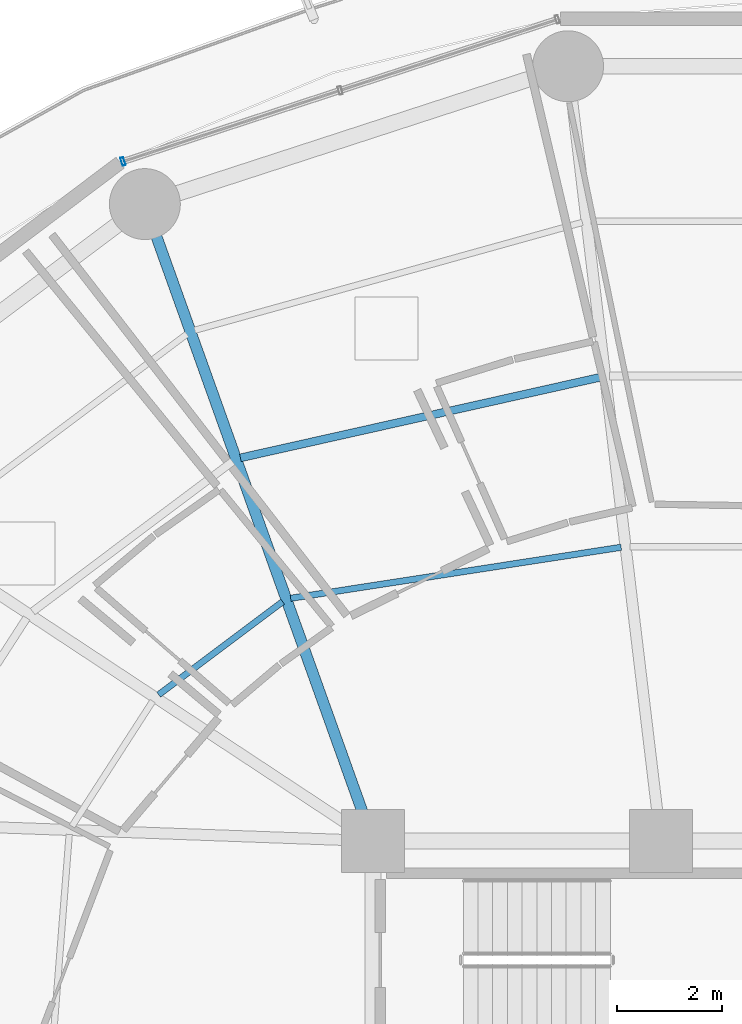
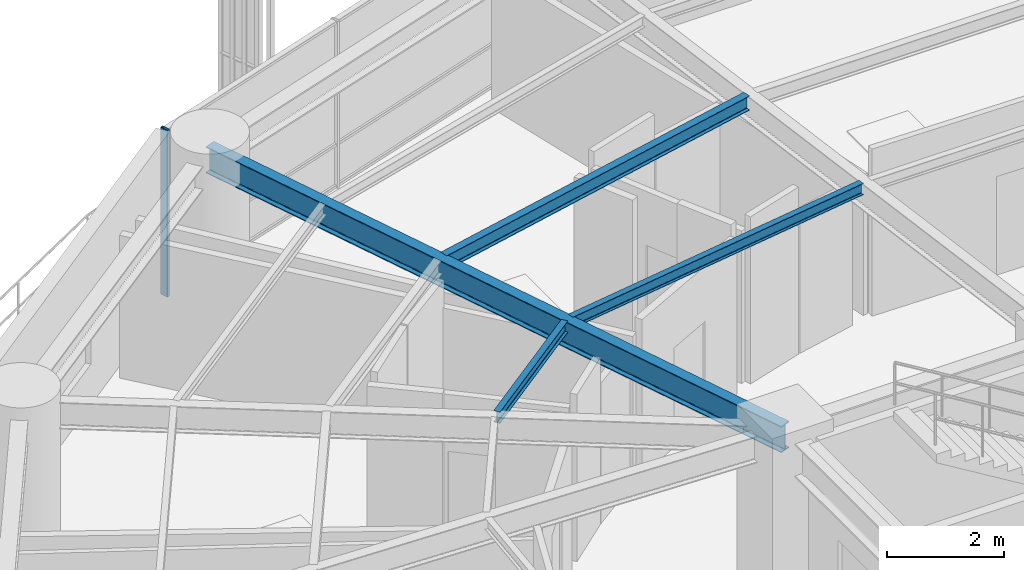
# One storey, part 20 of 36: 4 beams, 1 member, 1 element without a shape of its own.
"""IFC4 building model written with IfcOpenShell, lengths in metres."""

from ifc_helpers import new_model, si_unit, direction, frame, origin, origin_2d, place, context, subcontext, project, spatial, hollow_rectangle, i_section, extrude, material, layer, layer_set, material_profile, profile_set, type_object, element, aggregate, save


model = new_model("IFC4")

# Units and contexts
model_context = context("Model", 3, precision=1e-05, world=origin(), true_north=direction((0.0, 1.0)))
body_context = subcontext(model_context, "Body", "Model", "MODEL_VIEW")
ifc_project = project(units=[si_unit("LENGTHUNIT", "METRE"), si_unit("AREAUNIT", "SQUARE_METRE"), si_unit("VOLUMEUNIT", "CUBIC_METRE"), si_unit("PLANEANGLEUNIT", "RADIAN"), si_unit("MASSUNIT", "GRAM", prefix="KILO")], contexts=[model_context])

# Site, building, storey
site_placement = place(None, origin())
site = spatial("IfcSite", under=ifc_project, at=site_placement, CompositionType="ELEMENT")
building_placement = place(site_placement, origin())
building = spatial("IfcBuilding", under=site, at=building_placement, Name="Kelanora Arch Commons", CompositionType="ELEMENT")
storey_placement = place(building_placement, frame((0.0, 0.0, 102.60009765625)))
storey = spatial("IfcBuildingStorey", under=building, at=storey_placement, Name="L26", CompositionType="ELEMENT", Elevation=102.60009765625)

# Beams
ifc_material_1 = material(Name="Steel S355", Category="steel")
ifc_material_profile_1 = material_profile(ifc_material_1, i_section(OverallWidth=0.14990234375, OverallDepth=0.300048828125, WebThickness=0.007080078125, FlangeThickness=0.0107421875, FilletRadius=0.014892578125, at=origin_2d()), Name="IPE300")
ifc_profile_set_1 = profile_set([ifc_material_profile_1], Name="Steel S355")
beam_type_1 = type_object("IfcBeamType", Name="BM-JST-01", PredefinedType="JOIST", material=ifc_profile_set_1)
beam_1_placement = place(storey_placement, frame((70.337646484375, 73.828125, 3.33984375), z_axis=(-0.975817048791, -0.218588854449, 0.0), x_axis=(0.218588854449, -0.975817048791, 0.0)))
element("IfcBeam", 1, at=beam_1_placement, inside=storey, type_object=beam_type_1, Name="Secondary Chord Joist BJB-10 L26", PredefinedType="JOIST", context=body_context, shape_type="SweptSolid", body=[
    extrude(i_section(OverallWidth=0.14990234375, OverallDepth=0.300048828125, WebThickness=0.007080078125, FlangeThickness=0.0107421875, FilletRadius=0.014892578125, at=origin_2d()), origin(), (0.0, 0.0, 1.0), 7.028564453125),
])
ifc_material_profile_2 = material_profile(ifc_material_1, i_section(OverallWidth=0.1201171875, OverallDepth=0.239990234375, WebThickness=0.006103515625, FlangeThickness=0.009765625, FilletRadius=0.014892578125, at=origin_2d()), Name="IPE240")
ifc_profile_set_2 = profile_set([ifc_material_profile_2], Name="Steel S355")
beam_type_2 = type_object("IfcBeamType", Name="BM-JST-02", PredefinedType="JOIST", material=ifc_profile_set_2)
beam_2_placement = place(storey_placement, frame((70.72509765625, 70.590087890625, 3.369873046875), z_axis=(-0.988295745497, -0.152550055496, 0.0), x_axis=(0.152550055496, -0.988295745497, 0.0)))
element("IfcBeam", 2, at=beam_2_placement, inside=storey, type_object=beam_type_2, Name="Secondary Chord Joist BJA-10 L26", PredefinedType="JOIST", context=body_context, shape_type="SweptSolid", body=[
    extrude(i_section(OverallWidth=0.1201171875, OverallDepth=0.239990234375, WebThickness=0.006103515625, FlangeThickness=0.009765625, FilletRadius=0.014892578125, at=origin_2d()), origin(), (0.0, 0.0, 1.0), 6.36474609375),
])
beam_3_placement = place(storey_placement, frame((64.28271484375, 69.555419921875, 3.369873046875), z_axis=(-0.799692034361, -0.600410401458, 0.0), x_axis=(0.600410401458, -0.799692034361, 0.0)))
element("IfcBeam", 3, at=beam_3_placement, inside=storey, type_object=beam_type_2, Name="Secondary Chord Joist BJA-12 L26", PredefinedType="JOIST", context=body_context, shape_type="SweptSolid", body=[
    extrude(i_section(OverallWidth=0.1201171875, OverallDepth=0.239990234375, WebThickness=0.006103515625, FlangeThickness=0.009765625, FilletRadius=0.014892578125, at=origin_2d()), origin(), (0.0, 0.0, 1.0), 2.949951171875),
])
ifc_material_profile_3 = material_profile(ifc_material_1, i_section(OverallWidth=0.2099609375, OverallDepth=0.550048828125, WebThickness=0.010986328125, FlangeThickness=0.01708984375, FilletRadius=0.02392578125, at=origin_2d()), Name="IPE550")
ifc_profile_set_3 = profile_set([ifc_material_profile_3], Name="Steel S355")
beam_type_3 = type_object("IfcBeamType", Name="BM-RAD-Z2", PredefinedType="BEAM", material=ifc_profile_set_3)
beam_4_placement = place(storey_placement, frame((66.0, 65.0, 3.21484375), z_axis=(-0.337084640008, 0.941474346687, 0.0), x_axis=(-0.941474346687, -0.337084640008, 0.0)))
element("IfcBeam", 4, at=beam_4_placement, inside=storey, type_object=beam_type_3, Name="Radial Floor Girder BR-12 L26", PredefinedType="BEAM", context=body_context, shape_type="SweptSolid", body=[
    extrude(i_section(OverallWidth=0.2099609375, OverallDepth=0.550048828125, WebThickness=0.010986328125, FlangeThickness=0.01708984375, FilletRadius=0.02392578125, at=origin_2d()), origin(), (0.0, 0.0, 1.0), 12.875244140625),
])

# Curtain wall, member
ifc_material_2 = material(Name="Terracotta ceramic-fritted low-E glass and aluminium", Category="masonry")
ifc_layer = layer(ifc_material_2, 0.159912109375)
ifc_layer_set = layer_set([ifc_layer], Name="Terracotta ceramic-fritted low-E glass and aluminium")
curtain_wall_type = type_object("IfcCurtainWallType", Name="CW-SYS-01", PredefinedType="NOTDEFINED", material=ifc_layer_set)
curtain_wall_placement = place(storey_placement, origin())
curtain_wall = element("IfcCurtainWall", 5, at=curtain_wall_placement, inside=storey, type_object=curtain_wall_type, Name="Unitised Curtain Wall L26-B05", PredefinedType="NOTDEFINED")
ifc_material_3 = material(Name="Powder-coated aluminium terracotta", Category="masonry")
ifc_material_profile_4 = material_profile(ifc_material_3, hollow_rectangle(XDim=0.159912109375, YDim=0.06005859375, WallThickness=0.0048828125, InnerFilletRadius=0.0048828125, OuterFilletRadius=0.010009765625, at=origin_2d()), Name="CWM160x60")
ifc_profile_set_4 = profile_set([ifc_material_profile_4], Name="Powder-coated aluminium terracotta")
member_type = type_object("IfcMemberType", Name="CWM-STD", PredefinedType="MULLION", material=ifc_profile_set_4)
member_placement = place(storey_placement, frame((61.242919921875, 77.9326171875, 0.0), z_axis=(0.0, 0.0, 1.0), x_axis=(0.31080470294, -0.950473795867, 0.0)))
member = element("IfcMember", 6, at=member_placement, type_object=member_type, Name="CW-01 mullion 3", PredefinedType="MULLION", context=body_context, shape_type="SweptSolid", body=[
    extrude(hollow_rectangle(XDim=0.159912109375, YDim=0.06005859375, WallThickness=0.0048828125, InnerFilletRadius=0.0048828125, OuterFilletRadius=0.010009765625, at=origin_2d()), origin(), (0.0, 0.0, 1.0), 3.474853515625),
])
aggregate(curtain_wall, [member])

save(model, "model.ifc")
